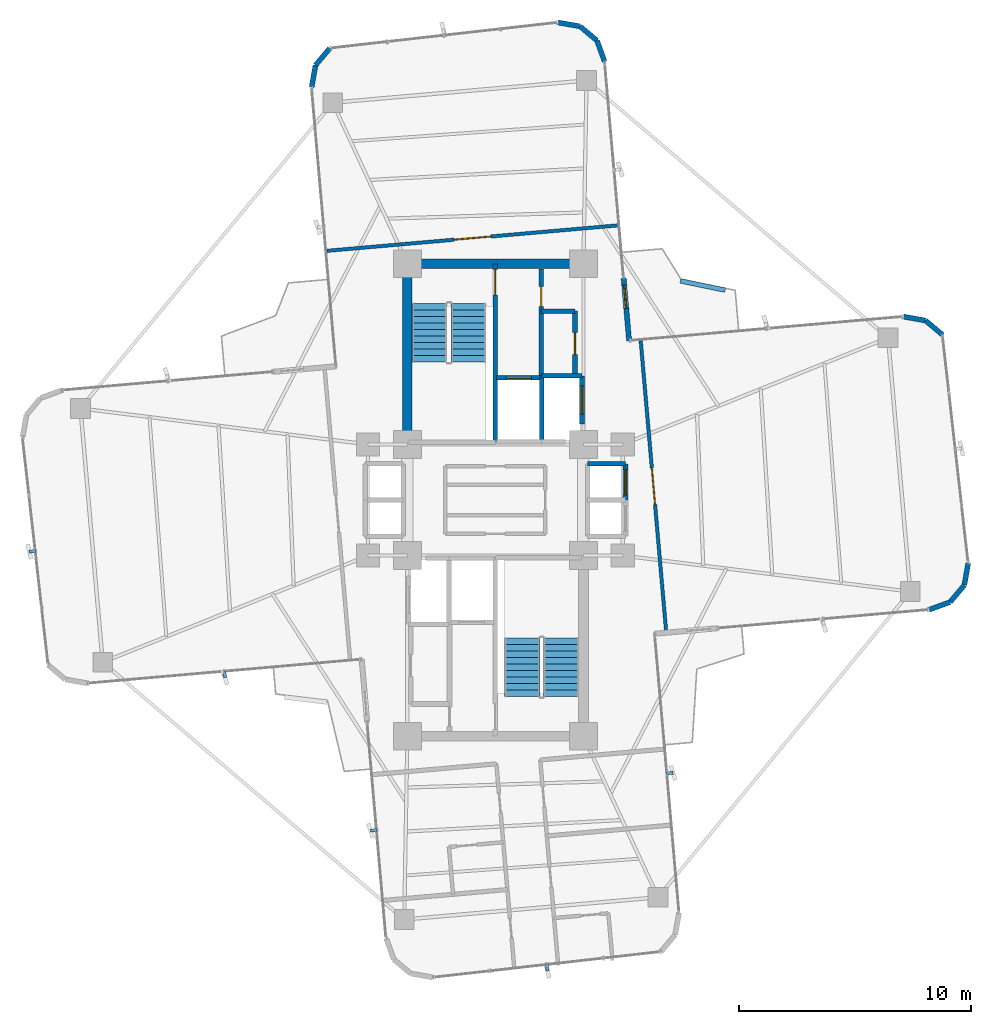
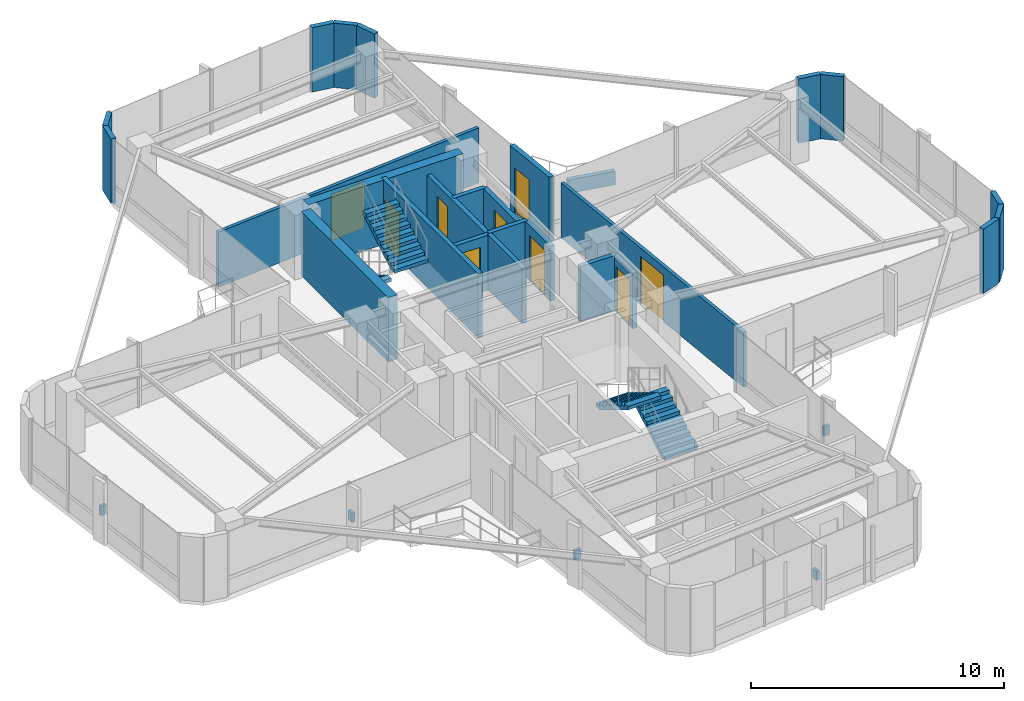
# One storey, part 22 of 24: 26 walls, 9 doors, 5 discrete accessories, 4 stair flights, 9 openings, 2 elements without a shape of their own.
"""IFC4 building model written with IfcOpenShell, lengths in metres."""

from ifc_helpers import new_model, si_unit, direction, frame, frame_2d, origin, origin_2d, place, context, subcontext, project, spatial, polyline, rectangle, outline, extrude, source, transform, mapped, material, layer, layer_set, type_object, element, fill, aggregate, save


model = new_model("IFC4")

# Units and contexts
model_context = context("Model", 3, precision=1e-05, world=origin(), true_north=direction((0.0, 1.0)))
body_context = subcontext(model_context, "Body", "Model", "MODEL_VIEW")
ifc_project = project(units=[si_unit("LENGTHUNIT", "METRE"), si_unit("AREAUNIT", "SQUARE_METRE"), si_unit("VOLUMEUNIT", "CUBIC_METRE"), si_unit("PLANEANGLEUNIT", "RADIAN"), si_unit("MASSUNIT", "GRAM", prefix="KILO")], contexts=[model_context])

# Site, building, storey
site_placement = place(None, origin())
site = spatial("IfcSite", under=ifc_project, at=site_placement, CompositionType="ELEMENT")
building_placement = place(site_placement, origin())
building = spatial("IfcBuilding", under=site, at=building_placement, Name="Sahyath Konkavel Grand Hotel", CompositionType="ELEMENT")
storey_placement = place(building_placement, frame((0.0, 0.0, 185.25)))
storey = spatial("IfcBuildingStorey", under=building, at=storey_placement, Name="L51", CompositionType="ELEMENT", Elevation=185.25)

# Walls
ifc_material_1 = material(Name="Concrete C50/60", Category="concrete")
ifc_layer_1 = layer(ifc_material_1, 0.419921875)
ifc_layer_set_1 = layer_set([ifc_layer_1], Name="Concrete C50/60")
wall_type_1 = type_object("IfcWallType", Name="CWALL-420", PredefinedType="SHEAR", material=ifc_layer_set_1)
wall_1_placement = place(storey_placement, frame((-3.550048828125, 10.199951171875, 0.0), z_axis=(0.0, 0.0, 1.0), x_axis=(1.0, 0.0, 0.0)))
element("IfcWall", 1, at=wall_1_placement, inside=storey, type_object=wall_type_1, Name="L51 North Core Shear Wall N", PredefinedType="SHEAR", context=body_context, shape_type="SweptSolid", body=[
    extrude(rectangle(XDim=7.10009765625, YDim=0.419921875, at=frame_2d((3.550048828125, 0.0))), origin(), (0.0, 0.0, 1.0), 3.110107421875),
])
wall_2_placement = place(storey_placement, frame((-3.800048828125, 2.85009765625, 0.0), z_axis=(0.0, 0.0, 1.0), x_axis=(0.0, 1.0, 0.0)))
element("IfcWall", 2, at=wall_2_placement, inside=storey, type_object=wall_type_1, Name="L51 North Core Shear Wall W", PredefinedType="SHEAR", context=body_context, shape_type="SweptSolid", body=[
    extrude(rectangle(XDim=6.89990234375, YDim=0.419921875, at=frame_2d((3.449951171875, 0.0))), origin(), (0.0, 0.0, 1.0), 3.110107421875),
])
ifc_material_2 = material(Name="Warm Buff Sandstone Insulated Concrete C40/50", Category="masonry")
ifc_layer_2 = layer(ifc_material_2, 0.219970703125)
ifc_layer_set_2 = layer_set([ifc_layer_2], Name="Warm Buff Sandstone Insulated Concrete C40/50")
wall_type_2 = type_object("IfcWallType", Name="WLL-BALC-THRESH", PredefinedType="STANDARD", material=ifc_layer_set_2)
wall_3_placement = place(storey_placement, frame((18.73388671875, -4.735107421875, 0.0), z_axis=(0.0, 0.0, 1.0), x_axis=(0.939741306239, 0.34188635151, 0.0)))
element("IfcWall", 3, at=wall_3_placement, inside=storey, type_object=wall_type_2, Name="L51 Rounded Corner Sandstone Pier 1", PredefinedType="STANDARD", context=body_context, shape_type="SweptSolid", body=[
    extrude(rectangle(XDim=0.95751953125, YDim=0.219970703125, at=frame_2d((0.478759765625, 0.0))), origin(), (0.0, 0.0, 1.0), 3.110107421875),
])
for number, where, z_axis, x_axis, name in (
    (4, (19.6337890625, -4.40771484375, 0.0), (0.0, 0.0, 1.0), (0.642863236823, 0.765980978054, 0.0), "L51 Rounded Corner Sandstone Pier 2"),
    (5, (20.24951171875, -3.674072265625, 0.0), (0.0, 0.0, 1.0), (0.173610811841, 0.984814340885, 0.0), "L51 Rounded Corner Sandstone Pier 3"),
):
    element("IfcWall", number, at=place(storey_placement, frame(where, z_axis=z_axis, x_axis=x_axis)), inside=storey, type_object=wall_type_2, Name=name, PredefinedType="STANDARD", context=body_context, shape_type="SweptSolid", body=[
        extrude(rectangle(XDim=0.957763671875, YDim=0.219970703125, at=frame_2d((0.47900390625, 0.0))), origin(), (0.0, 0.0, 1.0), 3.110107421875),
    ])
wall_4_placement = place(storey_placement, frame((19.3037109375, 7.134521484375, 0.0), z_axis=(0.0, 0.0, 1.0), x_axis=(-0.766001159887, 0.642839189107, 0.0)))
element("IfcWall", 6, at=wall_4_placement, inside=storey, type_object=wall_type_2, Name="L51 Rounded Corner Sandstone Pier 5", PredefinedType="STANDARD", context=body_context, shape_type="SweptSolid", body=[
    extrude(rectangle(XDim=0.95751953125, YDim=0.219970703125, at=frame_2d((0.478759765625, 0.0))), origin(), (0.0, 0.0, 1.0), 3.110107421875),
])
wall_5_placement = place(storey_placement, frame((18.5703125, 7.75, 0.0), z_axis=(0.0, 0.0, 1.0), x_axis=(-0.984770724397, 0.173858046606, 0.0)))
element("IfcWall", 7, at=wall_5_placement, inside=storey, type_object=wall_type_2, Name="L51 Rounded Corner Sandstone Pier 6", PredefinedType="STANDARD", context=body_context, shape_type="SweptSolid", body=[
    extrude(rectangle(XDim=0.957763671875, YDim=0.219970703125, at=frame_2d((0.47900390625, 0.0))), origin(), (0.0, 0.0, 1.0), 3.110107421875),
])

# Wall, opening, door
wall_6_placement = place(storey_placement, frame((5.7724609375, 6.87939453125, 0.0), z_axis=(0.0, 0.0, 1.0), x_axis=(-0.087168071984, 0.996193619346, 0.0)))
wall_6 = element("IfcWall", 8, at=wall_6_placement, inside=storey, type_object=wall_type_2, Name="L51 Winter-Garden Threshold Wall 8", PredefinedType="STANDARD", context=body_context, shape_type="SweptSolid", body=[
    extrude(rectangle(XDim=2.699951171875, YDim=0.219970703125, at=frame_2d((1.35009765625, 0.0))), origin(), (0.0, 0.0, 1.0), 3.110107421875),
])
opening_1_placement = place(wall_6_placement, frame((1.39990234375, 0.0, 0.0)))
opening_1 = element("IfcOpeningElement", 9, at=opening_1_placement, cuts=wall_6, Name="Opening D-TR1", PredefinedType="OPENING", context=body_context, shape_type="SweptSolid", body=[
    extrude(rectangle(XDim=1.0, YDim=2.199951171875, at=frame_2d((0.5, 1.10009765625))), frame((0.0, 0.1201171875, 0.0), z_axis=(0.0, -1.0, 0.0), x_axis=(1.0, 0.0, 0.0)), (0.0, 0.0, 1.0), 0.239990234375),
])
ifc_material_3 = material(Name="Anodised Bronze Aluminium & Low-E Glazing", Category="aluminium")
door_type_1 = type_object("IfcDoorType", Name="DR-TERRACE-1000", OperationType="NOTDEFINED", PredefinedType="DOOR", material=ifc_material_3)
shared_shape_1 = source(origin(), body_context, "Body", "SweptSolid", [
    extrude(rectangle(XDim=1.0, YDim=0.050048828125, at=origin_2d()), origin(), (0.0, 0.0, 1.0), 2.199951171875),
])
door_1_placement = place(opening_1_placement, frame((0.5, 0.0, 0.0)))
door_1 = element("IfcDoor", 10, at=door_1_placement, inside=storey, type_object=door_type_1, Name="L51 Winter-Garden Terrace Door 8", OperationType="SINGLE_SWING_LEFT", OverallHeight=2.199951171875, OverallWidth=1.0, PredefinedType="DOOR", context=body_context, shape_type="MappedRepresentation", body=[
    mapped(shared_shape_1, transform((0.0, 0.0, 0.0), scale=1.0)),
])
fill(opening_1, door_1)

# Walls
wall_7_placement = place(storey_placement, frame((4.7177734375, 18.93310546875, 0.0), z_axis=(0.0, 0.0, 1.0), x_axis=(-0.34188635151, 0.939741306239, 0.0)))
element("IfcWall", 11, at=wall_7_placement, inside=storey, type_object=wall_type_2, Name="L51 Rounded Corner Sandstone Pier 9", PredefinedType="STANDARD", context=body_context, shape_type="SweptSolid", body=[
    extrude(rectangle(XDim=0.95751953125, YDim=0.219970703125, at=frame_2d((0.478759765625, 0.0))), origin(), (0.0, 0.0, 1.0), 3.110107421875),
])
for number, where, z_axis, x_axis, name in (
    (12, (4.390380859375, 19.8330078125, 0.0), (0.0, 0.0, 1.0), (-0.765980978054, 0.642863236823, 0.0), "L51 Rounded Corner Sandstone Pier 10"),
    (13, (3.65673828125, 20.44873046875, 0.0), (0.0, 0.0, 1.0), (-0.984814340885, 0.173610811841, 0.0), "L51 Rounded Corner Sandstone Pier 11"),
):
    element("IfcWall", number, at=place(storey_placement, frame(where, z_axis=z_axis, x_axis=x_axis)), inside=storey, type_object=wall_type_2, Name=name, PredefinedType="STANDARD", context=body_context, shape_type="SweptSolid", body=[
        extrude(rectangle(XDim=0.957763671875, YDim=0.219970703125, at=frame_2d((0.47900390625, 0.0))), origin(), (0.0, 0.0, 1.0), 3.110107421875),
    ])
for number, where, z_axis, x_axis, name in (
    (14, (-7.152099609375, 19.5029296875, 0.0), (0.0, 0.0, 1.0), (-0.642713642115, -0.766106503196, 0.0), "L51 Rounded Corner Sandstone Pier 13"),
    (15, (-7.767578125, 18.769287109375, 0.0), (0.0, 0.0, 1.0), (-0.173654409999, -0.984806654064, 0.0), "L51 Rounded Corner Sandstone Pier 14"),
):
    element("IfcWall", number, at=place(storey_placement, frame(where, z_axis=z_axis, x_axis=x_axis)), inside=storey, type_object=wall_type_2, Name=name, PredefinedType="STANDARD", context=body_context, shape_type="SweptSolid", body=[
        extrude(rectangle(XDim=0.95751953125, YDim=0.219970703125, at=frame_2d((0.478759765625, 0.0))), origin(), (0.0, 0.0, 1.0), 3.110107421875),
    ])

# Wall, opening, door
ifc_material_4 = material(Name="Concrete C40/50", Category="concrete")
ifc_layer_3 = layer(ifc_material_4, 0.199951171875)
ifc_layer_set_3 = layer_set([ifc_layer_3], Name="Concrete C40/50")
wall_type_3 = type_object("IfcWallType", Name="WLL-CORE-200", PredefinedType="SOLIDWALL", material=ifc_layer_set_3)
wall_8_placement = place(storey_placement, frame((0.0, 2.5, 0.0), z_axis=(0.0, 0.0, 1.0), x_axis=(0.0, 1.0, 0.0)))
wall_8 = element("IfcWall", 16, at=wall_8_placement, inside=storey, type_object=wall_type_3, Name="L51 Stair ST-1 Shaft Wall E", PredefinedType="SOLIDWALL", context=body_context, shape_type="SweptSolid", body=[
    extrude(rectangle(XDim=7.679931640625, YDim=0.199951171875, at=frame_2d((3.83984375, 0.0))), origin(), (0.0, 0.0, 1.0), 3.110107421875),
])
opening_2_placement = place(wall_8_placement, frame((6.360107421875, 0.0, 0.0)))
opening_2 = element("IfcOpeningElement", 17, at=opening_2_placement, cuts=wall_8, Name="Opening D-F12B", PredefinedType="OPENING", context=body_context, shape_type="SweptSolid", body=[
    extrude(rectangle(XDim=1.10009765625, YDim=2.14990234375, at=frame_2d((0.550048828125, 1.074951171875))), frame((0.0, 0.10986328125, 0.0), z_axis=(0.0, -1.0, 0.0), x_axis=(1.0, 0.0, 0.0)), (0.0, 0.0, 1.0), 0.219970703125),
])
ifc_material_5 = material(Name="Steel E350 Smokeproof Fire Door", Category="steel")
door_type_2 = type_object("IfcDoorType", Name="DR-FD120-1100", OperationType="NOTDEFINED", PredefinedType="DOOR", material=ifc_material_5)
shared_shape_2 = source(origin(), body_context, "Body", "SweptSolid", [
    extrude(rectangle(XDim=1.10009765625, YDim=0.050048828125, at=origin_2d()), origin(), (0.0, 0.0, 1.0), 2.14990234375),
])
door_2_placement = place(opening_2_placement, frame((0.550048828125, 0.0, 0.0)))
door_2 = element("IfcDoor", 18, at=door_2_placement, inside=storey, type_object=door_type_2, Name="L51 Stair ST-1 Fire Door", OperationType="SINGLE_SWING_LEFT", OverallHeight=2.14990234375, OverallWidth=1.10009765625, PredefinedType="DOOR", context=body_context, shape_type="MappedRepresentation", body=[
    mapped(shared_shape_2, transform((0.0, 0.0, 0.0), scale=1.0)),
])
fill(opening_2, door_2)

wall_9_placement = place(storey_placement, frame((1.97998046875, 5.320068359375, 0.0), z_axis=(0.0, 0.0, 1.0), x_axis=(0.0, 1.0, 0.0)))
wall_9 = element("IfcWall", 19, at=wall_9_placement, inside=storey, type_object=wall_type_3, Name="L51 North Firefighting Lobby Wall E", PredefinedType="SOLIDWALL", context=body_context, shape_type="SweptSolid", body=[
    extrude(rectangle(XDim=4.659912109375, YDim=0.199951171875, at=frame_2d((2.330078125, 0.0))), origin(), (0.0, 0.0, 1.0), 2.659912109375),
])
opening_3_placement = place(wall_9_placement, frame((3.0400390625, 0.0, 0.0)))
opening_3 = element("IfcOpeningElement", 20, at=opening_3_placement, cuts=wall_9, Name="Opening D-F12D", PredefinedType="OPENING", context=body_context, shape_type="SweptSolid", body=[
    extrude(rectangle(XDim=0.85009765625, YDim=2.10009765625, at=frame_2d((0.425048828125, 1.050048828125))), frame((0.0, 0.10986328125, 0.0), z_axis=(0.0, -1.0, 0.0), x_axis=(1.0, 0.0, 0.0)), (0.0, 0.0, 1.0), 0.219970703125),
])
ifc_material_6 = material(Name="Steel E350 Core Fire Door", Category="steel")
door_type_3 = type_object("IfcDoorType", Name="DR-FD120-850", OperationType="NOTDEFINED", PredefinedType="DOOR", material=ifc_material_6)
shared_shape_3 = source(origin(), body_context, "Body", "SweptSolid", [
    extrude(rectangle(XDim=0.85009765625, YDim=0.050048828125, at=origin_2d()), origin(), (0.0, 0.0, 1.0), 2.10009765625),
])
door_3_placement = place(opening_3_placement, frame((0.425048828125, 0.0, 0.0)))
door_3 = element("IfcDoor", 21, at=door_3_placement, inside=storey, type_object=door_type_3, Name="L51 North Firefighting Lobby Door", OperationType="SINGLE_SWING_LEFT", OverallHeight=2.10009765625, OverallWidth=0.85009765625, PredefinedType="DOOR", context=body_context, shape_type="MappedRepresentation", body=[
    mapped(shared_shape_3, transform((0.0, 0.0, 0.0), scale=1.0)),
])
fill(opening_3, door_3)

# Wall
wall_10_placement = place(storey_placement, frame((2.0, 2.5, 0.0), z_axis=(0.0, 0.0, 1.0), x_axis=(0.0, 1.0, 0.0)))
element("IfcWall", 22, at=wall_10_placement, inside=storey, type_object=wall_type_3, Name="L51 Partition SH-FFL1-E", PredefinedType="SOLIDWALL", context=body_context, shape_type="SweptSolid", body=[
    extrude(rectangle(XDim=2.780029296875, YDim=0.199951171875, at=frame_2d((1.39013671875, 0.0))), origin(), (0.0, 0.0, 1.0), 2.659912109375),
])

# Wall, opening, door
wall_11_placement = place(storey_placement, frame((0.050048828125, 5.280029296875, 0.0), z_axis=(0.0, 0.0, 1.0), x_axis=(1.0, 0.0, 0.0)))
wall_11 = element("IfcWall", 23, at=wall_11_placement, inside=storey, type_object=wall_type_3, Name="L51 Partition SH-FFL1-N", PredefinedType="SOLIDWALL", context=body_context, shape_type="SweptSolid", body=[
    extrude(rectangle(XDim=1.929931640625, YDim=0.199951171875, at=frame_2d((0.96484375, 0.0))), origin(), (0.0, 0.0, 1.0), 2.659912109375),
])
opening_4_placement = place(wall_11_placement, frame((0.39990234375, 0.0, 0.0)))
opening_4 = element("IfcOpeningElement", 24, at=opening_4_placement, cuts=wall_11, Name="Opening LD-11", PredefinedType="OPENING", context=body_context, shape_type="SweptSolid", body=[
    extrude(rectangle(XDim=1.10009765625, YDim=2.199951171875, at=frame_2d((0.550048828125, 1.10009765625))), frame((0.0, 0.10986328125, 0.0), z_axis=(0.0, -1.0, 0.0), x_axis=(1.0, 0.0, 0.0)), (0.0, 0.0, 1.0), 0.219970703125),
])
ifc_material_7 = material(Name="Bronze Lift Landing Door 1100")
door_type_4 = type_object("IfcDoorType", Name="DR-LIFT-1100", OperationType="DOUBLE_DOOR_SLIDING", PredefinedType="DOOR", material=ifc_material_7)
shared_shape_4 = source(origin(), body_context, "Body", "SweptSolid", [
    extrude(rectangle(XDim=1.10009765625, YDim=0.050048828125, at=origin_2d()), origin(), (0.0, 0.0, 1.0), 2.199951171875),
])
door_4_placement = place(opening_4_placement, frame((0.550048828125, 0.0, 0.0)))
door_4 = element("IfcDoor", 25, at=door_4_placement, inside=storey, type_object=door_type_4, Name="L51 Lift FFL-1 Landing Door", OperationType="DOUBLE_DOOR_SLIDING", OverallHeight=2.199951171875, OverallWidth=1.10009765625, PredefinedType="DOOR", context=body_context, shape_type="MappedRepresentation", body=[
    mapped(shared_shape_4, transform((0.0, 0.0, 0.0), scale=1.0)),
])
fill(opening_4, door_4)

# Wall
wall_12_placement = place(storey_placement, frame((2.0, 5.360107421875, 0.0), z_axis=(0.0, 0.0, 1.0), x_axis=(1.0, 0.0, 0.0)))
element("IfcWall", 26, at=wall_12_placement, inside=storey, type_object=wall_type_3, Name="L51 Partition SH-SVL1-N", PredefinedType="SOLIDWALL", context=body_context, shape_type="SweptSolid", body=[
    extrude(rectangle(XDim=1.739990234375, YDim=0.199951171875, at=frame_2d((0.8701171875, 0.0))), origin(), (0.0, 0.0, 1.0), 2.659912109375),
])

# Wall, opening, door
wall_13_placement = place(storey_placement, frame((3.739990234375, 3.280029296875, 0.0), z_axis=(0.0, 0.0, 1.0), x_axis=(0.0, 1.0, 0.0)))
wall_13 = element("IfcWall", 27, at=wall_13_placement, inside=storey, type_object=wall_type_3, Name="L51 Partition SH-SVL1-E", PredefinedType="SOLIDWALL", context=body_context, shape_type="SweptSolid", body=[
    extrude(rectangle(XDim=2.080078125, YDim=0.199951171875, at=frame_2d((1.0400390625, 0.0))), origin(), (0.0, 0.0, 1.0), 2.659912109375),
])
opening_5_placement = place(wall_13_placement, frame((0.43994140625, 0.0, 0.0)))
opening_5 = element("IfcOpeningElement", 28, at=opening_5_placement, cuts=wall_13, Name="Opening LD-12", PredefinedType="OPENING", context=body_context, shape_type="SweptSolid", body=[
    extrude(rectangle(XDim=1.199951171875, YDim=2.199951171875, at=frame_2d((0.60009765625, 1.10009765625))), frame((0.0, 0.10986328125, 0.0), z_axis=(0.0, -1.0, 0.0), x_axis=(1.0, 0.0, 0.0)), (0.0, 0.0, 1.0), 0.219970703125),
])
ifc_material_8 = material(Name="Stainless Steel Lift Landing Door 1200", Category="steel")
door_type_5 = type_object("IfcDoorType", Name="DR-LIFT-1200", OperationType="DOUBLE_DOOR_SLIDING", PredefinedType="DOOR", material=ifc_material_8)
shared_shape_5 = source(origin(), body_context, "Body", "SweptSolid", [
    extrude(rectangle(XDim=1.199951171875, YDim=0.050048828125, at=origin_2d()), origin(), (0.0, 0.0, 1.0), 2.199951171875),
])
door_5_placement = place(opening_5_placement, frame((0.60009765625, 0.0, 0.0)))
door_5 = element("IfcDoor", 29, at=door_5_placement, inside=storey, type_object=door_type_5, Name="L51 Service Lift SVL-1 Landing Door", OperationType="DOUBLE_DOOR_SLIDING", OverallHeight=2.199951171875, OverallWidth=1.199951171875, PredefinedType="DOOR", context=body_context, shape_type="MappedRepresentation", body=[
    mapped(shared_shape_5, transform((0.0, 0.0, 0.0), scale=1.0)),
])
fill(opening_5, door_5)

# Wall
wall_14_placement = place(storey_placement, frame((3.97998046875, 1.56005859375, 0.0), z_axis=(0.0, 0.0, 1.0), x_axis=(1.0, 0.0, 0.0)))
element("IfcWall", 30, at=wall_14_placement, inside=storey, type_object=wall_type_3, Name="L51 Partition SH-PL56-N", PredefinedType="SOLIDWALL", context=body_context, shape_type="SweptSolid", body=[
    extrude(rectangle(XDim=1.64013671875, YDim=0.199951171875, at=frame_2d((0.820068359375, 0.0))), origin(), (0.0, 0.0, 1.0), 2.659912109375),
])

# Wall, opening, door
wall_15_placement = place(storey_placement, frame((5.6201171875, 0.0, 0.0), z_axis=(0.0, 0.0, 1.0), x_axis=(0.0, 1.0, 0.0)))
wall_15 = element("IfcWall", 31, at=wall_15_placement, inside=storey, type_object=wall_type_3, Name="L51 Partition SH-PL5-E", PredefinedType="SOLIDWALL", context=body_context, shape_type="SweptSolid", body=[
    extrude(rectangle(XDim=1.56005859375, YDim=0.199951171875, at=frame_2d((0.780029296875, 0.0))), origin(), (0.0, 0.0, 1.0), 2.659912109375),
])
opening_6_placement = place(wall_15_placement, frame((0.219970703125, 0.0, 0.0)))
opening_6 = element("IfcOpeningElement", 32, at=opening_6_placement, cuts=wall_15, Name="Opening LD-11", PredefinedType="OPENING", context=body_context, shape_type="SweptSolid", body=[
    extrude(rectangle(XDim=1.10009765625, YDim=2.199951171875, at=frame_2d((0.550048828125, 1.10009765625))), frame((0.0, 0.10986328125, 0.0), z_axis=(0.0, -1.0, 0.0), x_axis=(1.0, 0.0, 0.0)), (0.0, 0.0, 1.0), 0.219970703125),
])
door_6_placement = place(opening_6_placement, frame((0.550048828125, 0.0, 0.0)))
door_6 = element("IfcDoor", 33, at=door_6_placement, inside=storey, type_object=door_type_4, Name="L51 High-Rise Lift PL-5 Landing Door", OperationType="DOUBLE_DOOR_SLIDING", OverallHeight=2.199951171875, OverallWidth=1.10009765625, PredefinedType="DOOR", context=body_context, shape_type="MappedRepresentation", body=[
    mapped(shared_shape_4, transform((0.0, 0.0, 0.0), scale=1.0)),
])
fill(opening_6, door_6)

wall_16_placement = place(storey_placement, frame((3.43994140625, 5.3798828125, 0.0), z_axis=(0.0, 0.0, 1.0), x_axis=(0.0, 1.0, 0.0)))
wall_16 = element("IfcWall", 34, at=wall_16_placement, inside=storey, type_object=wall_type_3, Name="L51 Reclaimed North Core Wall E", PredefinedType="SOLIDWALL", context=body_context, shape_type="SweptSolid", body=[
    extrude(rectangle(XDim=2.77001953125, YDim=0.199951171875, at=frame_2d((1.385009765625, 0.0))), origin(), (0.0, 0.0, 1.0), 2.659912109375),
])
opening_7_placement = place(wall_16_placement, frame((0.89990234375, 0.0, 0.0)))
opening_7 = element("IfcOpeningElement", 35, at=opening_7_placement, cuts=wall_16, Name="Opening D-F06B", PredefinedType="OPENING", context=body_context, shape_type="SweptSolid", body=[
    extrude(rectangle(XDim=0.949951171875, YDim=2.14990234375, at=frame_2d((0.47509765625, 1.074951171875))), frame((0.0, 0.10986328125, 0.0), z_axis=(0.0, -1.0, 0.0), x_axis=(1.0, 0.0, 0.0)), (0.0, 0.0, 1.0), 0.219970703125),
])
ifc_material_9 = material(Name="Teak Veneer Fire-Rated Guest Entrance Door")
door_type_6 = type_object("IfcDoorType", Name="DR-FD60-950", OperationType="NOTDEFINED", PredefinedType="DOOR", material=ifc_material_9)
shared_shape_6 = source(origin(), body_context, "Body", "SweptSolid", [
    extrude(rectangle(XDim=0.949951171875, YDim=0.050048828125, at=origin_2d()), origin(), (0.0, 0.0, 1.0), 2.14990234375),
])
door_7_placement = place(opening_7_placement, frame((0.47509765625, 0.0, 0.0)))
door_7 = element("IfcDoor", 36, at=door_7_placement, inside=storey, type_object=door_type_6, Name="L51 Door NC-REC1-D", OperationType="SINGLE_SWING_LEFT", OverallHeight=2.14990234375, OverallWidth=0.949951171875, PredefinedType="DOOR", context=body_context, shape_type="MappedRepresentation", body=[
    mapped(shared_shape_6, transform((0.0, 0.0, 0.0), scale=1.0)),
])
fill(opening_7, door_7)

# Wall
wall_17_placement = place(storey_placement, frame((1.97998046875, 8.14990234375, 0.0), z_axis=(0.0, 0.0, 1.0), x_axis=(1.0, 0.0, 0.0)))
element("IfcWall", 37, at=wall_17_placement, inside=storey, type_object=wall_type_3, Name="L51 Partition NC-REC-N", PredefinedType="SOLIDWALL", context=body_context, shape_type="SweptSolid", body=[
    extrude(rectangle(XDim=1.4599609375, YDim=0.199951171875, at=frame_2d((0.72998046875, 0.0))), origin(), (0.0, 0.0, 1.0), 2.659912109375),
])

# Wall, opening, door
ifc_material_10 = material(Name="Fire-Rated Gypsum Plasterboard Partition")
ifc_layer_4 = layer(ifc_material_10, 0.14990234375)
ifc_layer_set_4 = layer_set([ifc_layer_4], Name="Fire-Rated Gypsum Plasterboard Partition")
wall_type_4 = type_object("IfcWallType", Name="WLL-PART-150", PredefinedType="PARTITIONING", material=ifc_layer_set_4)
wall_18_placement = place(storey_placement, frame((7.373046875, -5.678955078125, 0.0), z_axis=(0.0, 0.0, 1.0), x_axis=(-0.087154691724, 0.996194790044, 0.0)))
wall_18 = element("IfcWall", 38, at=wall_18_placement, inside=storey, type_object=wall_type_4, Name="L51 Partition E-SAL-IN", PredefinedType="PARTITIONING", context=body_context, shape_type="SweptSolid", body=[
    extrude(rectangle(XDim=12.599853515625, YDim=0.14990234375, at=frame_2d((6.2998046875, 0.0))), origin(), (0.0, 0.0, 1.0), 2.659912109375),
])
opening_8_placement = place(wall_18_placement, frame((5.5, 0.0, 0.0)))
opening_8 = element("IfcOpeningElement", 39, at=opening_8_placement, cuts=wall_18, Name="Opening D-DB16", PredefinedType="OPENING", context=body_context, shape_type="SweptSolid", body=[
    extrude(rectangle(XDim=1.60009765625, YDim=2.25, at=frame_2d((0.800048828125, 1.125))), frame((0.0, 0.0849609375, 0.0), z_axis=(0.0, -1.0, 0.0), x_axis=(1.0, 0.0, 0.0)), (0.0, 0.0, 1.0), 0.169921875),
])
ifc_material_11 = material(Name="Double Leaf Lounge Glazed Timber Door", Category="wood")
door_type_7 = type_object("IfcDoorType", Name="DR-DBL-1600", OperationType="DOUBLE_DOOR_SINGLE_SWING", PredefinedType="DOOR", material=ifc_material_11)
shared_shape_7 = source(origin(), body_context, "Body", "SweptSolid", [
    extrude(rectangle(XDim=1.60009765625, YDim=0.050048828125, at=origin_2d()), origin(), (0.0, 0.0, 1.0), 2.25),
])
door_8_placement = place(opening_8_placement, frame((0.800048828125, 0.0, 0.0)))
door_8 = element("IfcDoor", 40, at=door_8_placement, inside=storey, type_object=door_type_7, Name="L51 Door E-SAL-D", OperationType="DOUBLE_DOOR_SINGLE_SWING", OverallHeight=2.25, OverallWidth=1.60009765625, PredefinedType="DOOR", context=body_context, shape_type="MappedRepresentation", body=[
    mapped(shared_shape_7, transform((0.0, 0.0, 0.0), scale=1.0)),
])
fill(opening_8, door_8)

wall_19_placement = place(storey_placement, frame((5.286865234375, 11.85595703125, 0.0), z_axis=(0.0, 0.0, 1.0), x_axis=(-0.996194790044, -0.087154691724, 0.0)))
wall_19 = element("IfcWall", 41, at=wall_19_placement, inside=storey, type_object=wall_type_4, Name="L51 Partition N-SAL-IN", PredefinedType="PARTITIONING", context=body_context, shape_type="SweptSolid", body=[
    extrude(rectangle(XDim=12.599853515625, YDim=0.14990234375, at=frame_2d((6.2998046875, 0.0))), origin(), (0.0, 0.0, 1.0), 2.659912109375),
])
opening_9_placement = place(wall_19_placement, frame((5.5, 0.0, 0.0)))
opening_9 = element("IfcOpeningElement", 42, at=opening_9_placement, cuts=wall_19, Name="Opening D-DB16", PredefinedType="OPENING", context=body_context, shape_type="SweptSolid", body=[
    extrude(rectangle(XDim=1.60009765625, YDim=2.25, at=frame_2d((0.800048828125, 1.125))), frame((0.0, 0.0849609375, 0.0), z_axis=(0.0, -1.0, 0.0), x_axis=(1.0, 0.0, 0.0)), (0.0, 0.0, 1.0), 0.169921875),
])
door_9_placement = place(opening_9_placement, frame((0.800048828125, 0.0, 0.0)))
door_9 = element("IfcDoor", 43, at=door_9_placement, inside=storey, type_object=door_type_7, Name="L51 Door N-SAL-D", OperationType="DOUBLE_DOOR_SINGLE_SWING", OverallHeight=2.25, OverallWidth=1.60009765625, PredefinedType="DOOR", context=body_context, shape_type="MappedRepresentation", body=[
    mapped(shared_shape_7, transform((0.0, 0.0, 0.0), scale=1.0)),
])
fill(opening_9, door_9)

# Wall
ifc_material_12 = material(Name="Warm Buff Sandstone Planter Wall", Category="masonry")
ifc_layer_5 = layer(ifc_material_12, 0.199951171875)
ifc_layer_set_5 = layer_set([ifc_layer_5], Name="Warm Buff Sandstone Planter Wall")
wall_type_5 = type_object("IfcWallType", Name="WLL-PLANTER-200", PredefinedType="PARAPET", material=ifc_layer_set_5)
wall_20_placement = place(storey_placement, frame((9.91650390625, 9.060302734375, 0.0), z_axis=(0.0, 0.0, 1.0), x_axis=(-0.979257025883, 0.202622005862, 0.0)))
element("IfcWall", 44, at=wall_20_placement, inside=storey, type_object=wall_type_5, Name="L51 Sky-Garden Stone Planter PLANTER NE", PredefinedType="PARAPET", context=body_context, shape_type="SweptSolid", body=[
    extrude(rectangle(XDim=1.96875, YDim=0.199951171875, at=frame_2d((0.984375, 0.0))), origin(), (0.0, 0.0, 1.0), 0.64990234375),
])

# Stair, stair flights
stair_type = type_object("IfcStairType", Name="STR-ST16-335", PredefinedType="HALF_TURN_STAIR", material=ifc_material_4)
stair_1_placement = place(storey_placement, origin())
stair_1 = element("IfcStair", 45, at=stair_1_placement, inside=storey, type_object=stair_type, Name="L51 North Core Smokeproof Exit Stair ST-1", PredefinedType="HALF_TURN_STAIR")
stair_flight_type = type_object("IfcStairFlightType", Name="STF-ST16-335", PredefinedType="STRAIGHT", material=ifc_material_4)
stair_flight_1_placement = place(storey_placement, frame((-2.840087890625, 8.47998046875, 0.0), z_axis=(0.0, 0.0, 1.0), x_axis=(0.0, -1.0, 0.0)))
stair_flight_1 = element("IfcStairFlight", 46, at=stair_flight_1_placement, type_object=stair_flight_type, Name="ST-1 flight 1", NumberOfRisers=10, NumberOfTreads=9, PredefinedType="STRAIGHT", RiserHeight=0.1675, TreadLength=0.28, context=body_context, shape_type="SweptSolid", body=[
    extrude(outline(polyline([(0.0, 0.0), (0.0, 0.16748046875), (0.280029296875, 0.16748046875), (0.280029296875, 0.3349609375), (0.56005859375, 0.3349609375), (0.56005859375, 0.50244140625), (0.840087890625, 0.50244140625), (0.840087890625, 0.669921875), (1.1201171875, 0.669921875), (1.1201171875, 0.83740234375), (1.39990234375, 0.83740234375), (1.39990234375, 1.0048828125), (1.679931640625, 1.0048828125), (1.679931640625, 1.172607421875), (1.9599609375, 1.172607421875), (1.9599609375, 1.340087890625), (2.239990234375, 1.340087890625), (2.239990234375, 1.507568359375), (2.52001953125, 1.507568359375), (2.52001953125, 1.675048828125), (2.52001953125, 1.332763671875), (0.2919921875, 0.0), (0.0, 0.0)])), frame((0.0, 0.760009765625, 0.0), z_axis=(0.0, -1.0, 0.0), x_axis=(1.0, 0.0, 0.0)), (0.0, 0.0, 1.0), 1.52001953125),
])
stair_flight_2_placement = place(storey_placement, frame((-1.159912109375, 5.9599609375, 1.675048828125), z_axis=(0.0, 0.0, 1.0), x_axis=(0.0, 1.0, 0.0)))
stair_flight_2 = element("IfcStairFlight", 47, at=stair_flight_2_placement, type_object=stair_flight_type, Name="ST-1 flight 2", NumberOfRisers=10, NumberOfTreads=9, PredefinedType="STRAIGHT", RiserHeight=0.1675, TreadLength=0.28, context=body_context, shape_type="SweptSolid", body=[
    extrude(outline(polyline([(0.0, 0.0), (0.0, 0.16748046875), (0.280029296875, 0.16748046875), (0.280029296875, 0.3349609375), (0.56005859375, 0.3349609375), (0.56005859375, 0.50244140625), (0.840087890625, 0.50244140625), (0.840087890625, 0.669921875), (1.1201171875, 0.669921875), (1.1201171875, 0.83740234375), (1.39990234375, 0.83740234375), (1.39990234375, 1.0048828125), (1.679931640625, 1.0048828125), (1.679931640625, 1.172607421875), (1.9599609375, 1.172607421875), (1.9599609375, 1.340087890625), (2.239990234375, 1.340087890625), (2.239990234375, 1.507568359375), (2.52001953125, 1.507568359375), (2.52001953125, 1.675048828125), (2.52001953125, 1.332763671875), (0.2919921875, 0.0), (0.0, 0.0)])), frame((0.0, 0.760009765625, 0.0), z_axis=(0.0, -1.0, 0.0), x_axis=(1.0, 0.0, 0.0)), (0.0, 0.0, 1.0), 1.52001953125),
])
aggregate(stair_1, [stair_flight_1, stair_flight_2])

stair_2_placement = place(storey_placement, origin())
stair_2 = element("IfcStair", 48, at=stair_2_placement, inside=storey, type_object=stair_type, Name="L51 South Core Smokeproof Exit Stair ST-2", PredefinedType="HALF_TURN_STAIR")
stair_flight_3_placement = place(storey_placement, frame((2.840087890625, -8.47998046875, 0.0), z_axis=(0.0, 0.0, 1.0), x_axis=(0.0, 1.0, 0.0)))
stair_flight_3 = element("IfcStairFlight", 49, at=stair_flight_3_placement, type_object=stair_flight_type, Name="ST-2 flight 1", NumberOfRisers=10, NumberOfTreads=9, PredefinedType="STRAIGHT", RiserHeight=0.1675, TreadLength=0.28, context=body_context, shape_type="SweptSolid", body=[
    extrude(outline(polyline([(0.0, 0.0), (0.0, 0.16748046875), (0.280029296875, 0.16748046875), (0.280029296875, 0.3349609375), (0.56005859375, 0.3349609375), (0.56005859375, 0.50244140625), (0.840087890625, 0.50244140625), (0.840087890625, 0.669921875), (1.1201171875, 0.669921875), (1.1201171875, 0.83740234375), (1.39990234375, 0.83740234375), (1.39990234375, 1.0048828125), (1.679931640625, 1.0048828125), (1.679931640625, 1.172607421875), (1.9599609375, 1.172607421875), (1.9599609375, 1.340087890625), (2.239990234375, 1.340087890625), (2.239990234375, 1.507568359375), (2.52001953125, 1.507568359375), (2.52001953125, 1.675048828125), (2.52001953125, 1.332763671875), (0.2919921875, 0.0), (0.0, 0.0)])), frame((0.0, 0.760009765625, 0.0), z_axis=(0.0, -1.0, 0.0), x_axis=(1.0, 0.0, 0.0)), (0.0, 0.0, 1.0), 1.52001953125),
])
stair_flight_4_placement = place(storey_placement, frame((1.159912109375, -5.9599609375, 1.675048828125), z_axis=(0.0, 0.0, 1.0), x_axis=(0.0, -1.0, 0.0)))
stair_flight_4 = element("IfcStairFlight", 50, at=stair_flight_4_placement, type_object=stair_flight_type, Name="ST-2 flight 2", NumberOfRisers=10, NumberOfTreads=9, PredefinedType="STRAIGHT", RiserHeight=0.1675, TreadLength=0.28, context=body_context, shape_type="SweptSolid", body=[
    extrude(outline(polyline([(0.0, 0.0), (0.0, 0.16748046875), (0.280029296875, 0.16748046875), (0.280029296875, 0.3349609375), (0.56005859375, 0.3349609375), (0.56005859375, 0.50244140625), (0.840087890625, 0.50244140625), (0.840087890625, 0.669921875), (1.1201171875, 0.669921875), (1.1201171875, 0.83740234375), (1.39990234375, 0.83740234375), (1.39990234375, 1.0048828125), (1.679931640625, 1.0048828125), (1.679931640625, 1.172607421875), (1.9599609375, 1.172607421875), (1.9599609375, 1.340087890625), (2.239990234375, 1.340087890625), (2.239990234375, 1.507568359375), (2.52001953125, 1.507568359375), (2.52001953125, 1.675048828125), (2.52001953125, 1.332763671875), (0.2919921875, 0.0), (0.0, 0.0)])), frame((0.0, 0.760009765625, 0.0), z_axis=(0.0, -1.0, 0.0), x_axis=(1.0, 0.0, 0.0)), (0.0, 0.0, 1.0), 1.52001953125),
])
aggregate(stair_2, [stair_flight_3, stair_flight_4])

# Discrete accessories
ifc_material_13 = material(Name="Steel E350", Category="steel")
discrete_accessory_type = type_object("IfcDiscreteAccessoryType", Name="ACC-FIN-BRACKET", PredefinedType="BRACKET", material=ifc_material_13)
shared_shape_8 = source(origin(), body_context, "Body", "SweptSolid", [
    extrude(rectangle(XDim=0.280029296875, YDim=0.139892578125, at=origin_2d()), origin(), (0.0, 0.0, 1.0), 0.449951171875),
])
for number, where, z_axis, x_axis, name in (
    (51, (-19.989013671875, -2.21630859375, 1.330078125), (0.0, 0.0, 1.0), (-0.993709417943, -0.111989252568, 0.0), "L51 Fin Support Bracket F20-2"),
    (52, (-11.6884765625, -7.52734375, 1.330078125), (0.0, 0.0, 1.0), (0.087155742748, -0.996194698092, 0.0), "L51 Fin Support Bracket F23-1"),
    (53, (-5.2568359375, -14.262451171875, 1.330078125), (0.0, 0.0, 1.0), (-0.996194698092, -0.087155742748, 0.0), "L51 Fin Support Bracket F24-1"),
    (54, (2.23388671875, -20.188232421875, 1.330078125), (0.0, 0.0, 1.0), (0.112006596052, -0.993707463211, 0.0), "L51 Fin Support Bracket F28-2"),
    (55, (7.5361328125, -11.7880859375, 1.330078125), (0.0, 0.0, 1.0), (0.996194698092, 0.087155742748, 0.0), "L51 Fin Support Bracket F31-1"),
):
    element("IfcDiscreteAccessory", number, at=place(storey_placement, frame(where, z_axis=z_axis, x_axis=x_axis)), inside=storey, type_object=discrete_accessory_type, Name=name, PredefinedType="BRACKET", context=body_context, shape_type="MappedRepresentation", body=[
        mapped(shared_shape_8, transform((0.0, 0.0, 0.0), scale=1.0)),
    ])

save(model, "model.ifc")
